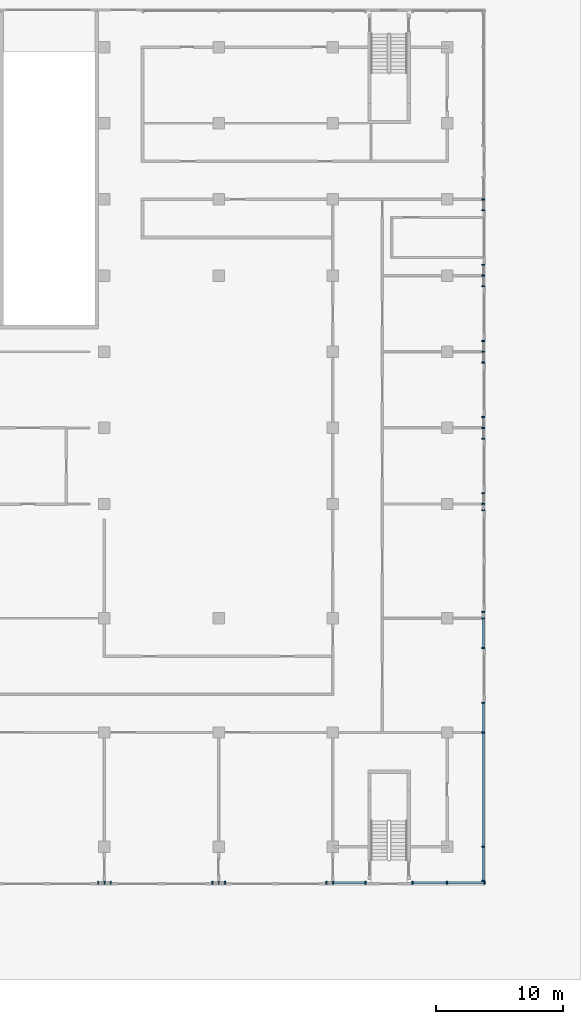
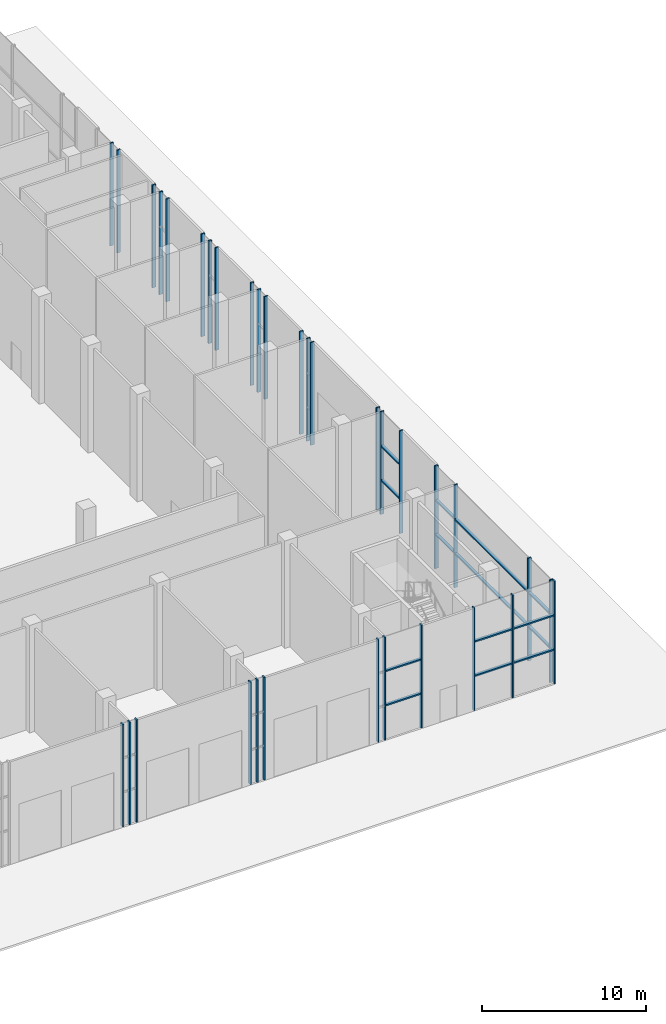
# One storey, part 5 of 29: 47 members, 11 elements without a shape of their own.
"""IFC4 building model written with IfcOpenShell, lengths in metres."""

from ifc_helpers import new_model, si_unit, direction, frame, origin, origin_2d, place, context, subcontext, project, spatial, rectangle, extrude, material, material_profile, profile_set, type_object, element, aggregate, save


model = new_model("IFC4")

# Units and contexts
model_context = context("Model", 3, precision=1e-05, world=origin(), true_north=direction((0.0, 1.0)))
body_context = subcontext(model_context, "Body", "Model", "MODEL_VIEW")
ifc_project = project(units=[si_unit("LENGTHUNIT", "METRE"), si_unit("AREAUNIT", "SQUARE_METRE"), si_unit("VOLUMEUNIT", "CUBIC_METRE"), si_unit("PLANEANGLEUNIT", "RADIAN"), si_unit("MASSUNIT", "GRAM", prefix="KILO")], contexts=[model_context])

# Site, building, storey
site_placement = place(None, origin())
site = spatial("IfcSite", under=ifc_project, at=site_placement, CompositionType="ELEMENT")
building_placement = place(site_placement, origin())
building = spatial("IfcBuilding", under=site, at=building_placement, Name="Finial Court Residences", CompositionType="ELEMENT")
storey_placement = place(building_placement, origin())
storey = spatial("IfcBuildingStorey", under=building, at=storey_placement, Name="L00", CompositionType="ELEMENT", Elevation=0.0)

# Curtain wall, members
ifc_material = material(Name="Bronze anodised aluminium", Category="aluminium")
curtain_wall_type = type_object("IfcCurtainWallType", Name="Podium shopfront", PredefinedType="NOTDEFINED", material=ifc_material)
curtain_wall_1_placement = place(storey_placement, origin())
curtain_wall_1 = element("IfcCurtainWall", 1, at=curtain_wall_1_placement, inside=storey, type_object=curtain_wall_type, Name="E-L00-CW-E9", PredefinedType="NOTDEFINED")
ifc_material_profile_1 = material_profile(ifc_material, rectangle(XDim=0.25, YDim=0.10009765625, at=origin_2d()), Name="CW4 mullion 100 x 250")
ifc_profile_set_1 = profile_set([ifc_material_profile_1], Name="Bronze anodised aluminium")
member_type_1 = type_object("IfcMemberType", Name="CW4 mullion 100 x 250", PredefinedType="MULLION", material=ifc_profile_set_1)
member_1_placement = place(storey_placement, frame((61.35009765625, -34.175048828125, 0.0), z_axis=(0.0, 0.0, 1.0), x_axis=(-1.0, 0.0, 0.0)))
member_1 = element("IfcMember", 2, at=member_1_placement, type_object=member_type_1, Name="CW4 mullion 1", PredefinedType="MULLION", context=body_context, shape_type="SweptSolid", body=[
    extrude(rectangle(XDim=0.25, YDim=0.10009765625, at=origin_2d()), origin(), (0.0, 0.0, 1.0), 7.64990234375),
])
member_2_placement = place(storey_placement, frame((61.35009765625, -31.5, 0.0), z_axis=(0.0, 0.0, 1.0), x_axis=(-1.0, 0.0, 0.0)))
member_2 = element("IfcMember", 3, at=member_2_placement, type_object=member_type_1, Name="CW4 mullion 2", PredefinedType="MULLION", context=body_context, shape_type="SweptSolid", body=[
    extrude(rectangle(XDim=0.25, YDim=0.10009765625, at=origin_2d()), origin(), (0.0, 0.0, 1.0), 7.64990234375),
])
member_3_placement = place(storey_placement, frame((61.35009765625, -22.5, 0.0), z_axis=(0.0, 0.0, 1.0), x_axis=(-1.0, 0.0, 0.0)))
member_3 = element("IfcMember", 4, at=member_3_placement, type_object=member_type_1, Name="CW4 mullion 3", PredefinedType="MULLION", context=body_context, shape_type="SweptSolid", body=[
    extrude(rectangle(XDim=0.25, YDim=0.10009765625, at=origin_2d()), origin(), (0.0, 0.0, 1.0), 7.64990234375),
])
member_4_placement = place(storey_placement, frame((61.35009765625, -20.14990234375, 0.0), z_axis=(0.0, 0.0, 1.0), x_axis=(-1.0, 0.0, 0.0)))
member_4 = element("IfcMember", 5, at=member_4_placement, type_object=member_type_1, Name="CW4 mullion 4", PredefinedType="MULLION", context=body_context, shape_type="SweptSolid", body=[
    extrude(rectangle(XDim=0.25, YDim=0.10009765625, at=origin_2d()), origin(), (0.0, 0.0, 1.0), 7.64990234375),
])

curtain_wall_2_placement = place(storey_placement, origin())
curtain_wall_2 = element("IfcCurtainWall", 6, at=curtain_wall_2_placement, inside=storey, type_object=curtain_wall_type, Name="E-L00-CW-E10", PredefinedType="NOTDEFINED")
member_5_placement = place(storey_placement, frame((61.35009765625, -15.85009765625, 0.0), z_axis=(0.0, 0.0, 1.0), x_axis=(-1.0, 0.0, 0.0)))
member_5 = element("IfcMember", 7, at=member_5_placement, type_object=member_type_1, Name="CW4 mullion 1", PredefinedType="MULLION", context=body_context, shape_type="SweptSolid", body=[
    extrude(rectangle(XDim=0.25, YDim=0.10009765625, at=origin_2d()), origin(), (0.0, 0.0, 1.0), 7.64990234375),
])
member_6_placement = place(storey_placement, frame((61.35009765625, -13.5, 0.0), z_axis=(0.0, 0.0, 1.0), x_axis=(-1.0, 0.0, 0.0)))
member_6 = element("IfcMember", 8, at=member_6_placement, type_object=member_type_1, Name="CW4 mullion 2", PredefinedType="MULLION", context=body_context, shape_type="SweptSolid", body=[
    extrude(rectangle(XDim=0.25, YDim=0.10009765625, at=origin_2d()), origin(), (0.0, 0.0, 1.0), 7.64990234375),
])
member_7_placement = place(storey_placement, frame((61.35009765625, -13.00830078125, 0.0), z_axis=(0.0, 0.0, 1.0), x_axis=(-1.0, 0.0, 0.0)))
member_7 = element("IfcMember", 9, at=member_7_placement, type_object=member_type_1, Name="CW4 mullion 3", PredefinedType="MULLION", context=body_context, shape_type="SweptSolid", body=[
    extrude(rectangle(XDim=0.25, YDim=0.10009765625, at=origin_2d()), origin(), (0.0, 0.0, 1.0), 7.64990234375),
])

curtain_wall_3_placement = place(storey_placement, origin())
curtain_wall_3 = element("IfcCurtainWall", 10, at=curtain_wall_3_placement, inside=storey, type_object=curtain_wall_type, Name="E-L00-CW-E11", PredefinedType="NOTDEFINED")
member_8_placement = place(storey_placement, frame((61.35009765625, -4.99169921875, 0.0), z_axis=(0.0, 0.0, 1.0), x_axis=(-1.0, 0.0, 0.0)))
member_8 = element("IfcMember", 11, at=member_8_placement, type_object=member_type_1, Name="CW4 mullion 1", PredefinedType="MULLION", context=body_context, shape_type="SweptSolid", body=[
    extrude(rectangle(XDim=0.25, YDim=0.10009765625, at=origin_2d()), origin(), (0.0, 0.0, 1.0), 7.64990234375),
])
member_9_placement = place(storey_placement, frame((61.35009765625, -4.5, 0.0), z_axis=(0.0, 0.0, 1.0), x_axis=(-1.0, 0.0, 0.0)))
member_9 = element("IfcMember", 12, at=member_9_placement, type_object=member_type_1, Name="CW4 mullion 2", PredefinedType="MULLION", context=body_context, shape_type="SweptSolid", body=[
    extrude(rectangle(XDim=0.25, YDim=0.10009765625, at=origin_2d()), origin(), (0.0, 0.0, 1.0), 7.64990234375),
])
member_10_placement = place(storey_placement, frame((61.35009765625, -3.64990234375, 0.0), z_axis=(0.0, 0.0, 1.0), x_axis=(-1.0, 0.0, 0.0)))
member_10 = element("IfcMember", 13, at=member_10_placement, type_object=member_type_1, Name="CW4 mullion 3", PredefinedType="MULLION", context=body_context, shape_type="SweptSolid", body=[
    extrude(rectangle(XDim=0.25, YDim=0.10009765625, at=origin_2d()), origin(), (0.0, 0.0, 1.0), 7.64990234375),
])
aggregate(curtain_wall_3, [member_8, member_9, member_10])

curtain_wall_4_placement = place(storey_placement, origin())
curtain_wall_4 = element("IfcCurtainWall", 14, at=curtain_wall_4_placement, inside=storey, type_object=curtain_wall_type, Name="E-L00-CW-E12", PredefinedType="NOTDEFINED")
member_11_placement = place(storey_placement, frame((61.35009765625, 0.64990234375, 0.0), z_axis=(0.0, 0.0, 1.0), x_axis=(-1.0, 0.0, 0.0)))
member_11 = element("IfcMember", 15, at=member_11_placement, type_object=member_type_1, Name="CW4 mullion 1", PredefinedType="MULLION", context=body_context, shape_type="SweptSolid", body=[
    extrude(rectangle(XDim=0.25, YDim=0.10009765625, at=origin_2d()), origin(), (0.0, 0.0, 1.0), 7.64990234375),
])
member_12_placement = place(storey_placement, frame((61.35009765625, 1.5, 0.0), z_axis=(0.0, 0.0, 1.0), x_axis=(-1.0, 0.0, 0.0)))
member_12 = element("IfcMember", 16, at=member_12_placement, type_object=member_type_1, Name="CW4 mullion 2", PredefinedType="MULLION", context=body_context, shape_type="SweptSolid", body=[
    extrude(rectangle(XDim=0.25, YDim=0.10009765625, at=origin_2d()), origin(), (0.0, 0.0, 1.0), 7.64990234375),
])
member_13_placement = place(storey_placement, frame((61.35009765625, 2.35009765625, 0.0), z_axis=(0.0, 0.0, 1.0), x_axis=(-1.0, 0.0, 0.0)))
member_13 = element("IfcMember", 17, at=member_13_placement, type_object=member_type_1, Name="CW4 mullion 3", PredefinedType="MULLION", context=body_context, shape_type="SweptSolid", body=[
    extrude(rectangle(XDim=0.25, YDim=0.10009765625, at=origin_2d()), origin(), (0.0, 0.0, 1.0), 7.64990234375),
])
aggregate(curtain_wall_4, [member_11, member_12, member_13])

curtain_wall_5_placement = place(storey_placement, origin())
curtain_wall_5 = element("IfcCurtainWall", 18, at=curtain_wall_5_placement, inside=storey, type_object=curtain_wall_type, Name="E-L00-CW-E13", PredefinedType="NOTDEFINED")
member_14_placement = place(storey_placement, frame((61.35009765625, 6.64990234375, 0.0), z_axis=(0.0, 0.0, 1.0), x_axis=(-1.0, 0.0, 0.0)))
member_14 = element("IfcMember", 19, at=member_14_placement, type_object=member_type_1, Name="CW4 mullion 1", PredefinedType="MULLION", context=body_context, shape_type="SweptSolid", body=[
    extrude(rectangle(XDim=0.25, YDim=0.10009765625, at=origin_2d()), origin(), (0.0, 0.0, 1.0), 7.64990234375),
])
member_15_placement = place(storey_placement, frame((61.35009765625, 7.5, 0.0), z_axis=(0.0, 0.0, 1.0), x_axis=(-1.0, 0.0, 0.0)))
member_15 = element("IfcMember", 20, at=member_15_placement, type_object=member_type_1, Name="CW4 mullion 2", PredefinedType="MULLION", context=body_context, shape_type="SweptSolid", body=[
    extrude(rectangle(XDim=0.25, YDim=0.10009765625, at=origin_2d()), origin(), (0.0, 0.0, 1.0), 7.64990234375),
])
member_16_placement = place(storey_placement, frame((61.35009765625, 8.35009765625, 0.0), z_axis=(0.0, 0.0, 1.0), x_axis=(-1.0, 0.0, 0.0)))
member_16 = element("IfcMember", 21, at=member_16_placement, type_object=member_type_1, Name="CW4 mullion 3", PredefinedType="MULLION", context=body_context, shape_type="SweptSolid", body=[
    extrude(rectangle(XDim=0.25, YDim=0.10009765625, at=origin_2d()), origin(), (0.0, 0.0, 1.0), 7.64990234375),
])
aggregate(curtain_wall_5, [member_14, member_15, member_16])

curtain_wall_6_placement = place(storey_placement, origin())
curtain_wall_6 = element("IfcCurtainWall", 22, at=curtain_wall_6_placement, inside=storey, type_object=curtain_wall_type, Name="E-L00-CW-E14", PredefinedType="NOTDEFINED")
member_17_placement = place(storey_placement, frame((61.35009765625, 12.64990234375, 0.0), z_axis=(0.0, 0.0, 1.0), x_axis=(-1.0, 0.0, 0.0)))
member_17 = element("IfcMember", 23, at=member_17_placement, type_object=member_type_1, Name="CW4 mullion 1", PredefinedType="MULLION", context=body_context, shape_type="SweptSolid", body=[
    extrude(rectangle(XDim=0.25, YDim=0.10009765625, at=origin_2d()), origin(), (0.0, 0.0, 1.0), 7.64990234375),
])
member_18_placement = place(storey_placement, frame((61.35009765625, 13.5, 0.0), z_axis=(0.0, 0.0, 1.0), x_axis=(-1.0, 0.0, 0.0)))
member_18 = element("IfcMember", 24, at=member_18_placement, type_object=member_type_1, Name="CW4 mullion 2", PredefinedType="MULLION", context=body_context, shape_type="SweptSolid", body=[
    extrude(rectangle(XDim=0.25, YDim=0.10009765625, at=origin_2d()), origin(), (0.0, 0.0, 1.0), 7.64990234375),
])
member_19_placement = place(storey_placement, frame((61.35009765625, 14.35009765625, 0.0), z_axis=(0.0, 0.0, 1.0), x_axis=(-1.0, 0.0, 0.0)))
member_19 = element("IfcMember", 25, at=member_19_placement, type_object=member_type_1, Name="CW4 mullion 3", PredefinedType="MULLION", context=body_context, shape_type="SweptSolid", body=[
    extrude(rectangle(XDim=0.25, YDim=0.10009765625, at=origin_2d()), origin(), (0.0, 0.0, 1.0), 7.64990234375),
])
aggregate(curtain_wall_6, [member_17, member_18, member_19])

curtain_wall_7_placement = place(storey_placement, origin())
curtain_wall_7 = element("IfcCurtainWall", 26, at=curtain_wall_7_placement, inside=storey, type_object=curtain_wall_type, Name="E-L00-CW-E15", PredefinedType="NOTDEFINED")
member_20_placement = place(storey_placement, frame((61.35009765625, 18.64990234375, 0.0), z_axis=(0.0, 0.0, 1.0), x_axis=(-1.0, 0.0, 0.0)))
member_20 = element("IfcMember", 27, at=member_20_placement, type_object=member_type_1, Name="CW4 mullion 1", PredefinedType="MULLION", context=body_context, shape_type="SweptSolid", body=[
    extrude(rectangle(XDim=0.25, YDim=0.10009765625, at=origin_2d()), origin(), (0.0, 0.0, 1.0), 7.64990234375),
])
member_21_placement = place(storey_placement, frame((61.35009765625, 19.5, 0.0), z_axis=(0.0, 0.0, 1.0), x_axis=(-1.0, 0.0, 0.0)))
member_21 = element("IfcMember", 28, at=member_21_placement, type_object=member_type_1, Name="CW4 mullion 2", PredefinedType="MULLION", context=body_context, shape_type="SweptSolid", body=[
    extrude(rectangle(XDim=0.25, YDim=0.10009765625, at=origin_2d()), origin(), (0.0, 0.0, 1.0), 7.64990234375),
])
aggregate(curtain_wall_7, [member_20, member_21])

curtain_wall_8_placement = place(storey_placement, origin())
curtain_wall_8 = element("IfcCurtainWall", 29, at=curtain_wall_8_placement, inside=storey, type_object=curtain_wall_type, Name="E-L00-CW-S23", PredefinedType="NOTDEFINED")
member_22_placement = place(storey_placement, frame((31.00830078125, -34.35009765625, 0.0), z_axis=(0.0, 0.0, 1.0), x_axis=(0.0, 1.0, 0.0)))
member_22 = element("IfcMember", 30, at=member_22_placement, type_object=member_type_1, Name="CW4 mullion 1", PredefinedType="MULLION", context=body_context, shape_type="SweptSolid", body=[
    extrude(rectangle(XDim=0.25, YDim=0.10009765625, at=origin_2d()), origin(), (0.0, 0.0, 1.0), 7.64990234375),
])
member_23_placement = place(storey_placement, frame((31.5, -34.35009765625, 0.0), z_axis=(0.0, 0.0, 1.0), x_axis=(0.0, 1.0, 0.0)))
member_23 = element("IfcMember", 31, at=member_23_placement, type_object=member_type_1, Name="CW4 mullion 2", PredefinedType="MULLION", context=body_context, shape_type="SweptSolid", body=[
    extrude(rectangle(XDim=0.25, YDim=0.10009765625, at=origin_2d()), origin(), (0.0, 0.0, 1.0), 7.64990234375),
])
member_24_placement = place(storey_placement, frame((31.99169921875, -34.35009765625, 0.0), z_axis=(0.0, 0.0, 1.0), x_axis=(0.0, 1.0, 0.0)))
member_24 = element("IfcMember", 32, at=member_24_placement, type_object=member_type_1, Name="CW4 mullion 3", PredefinedType="MULLION", context=body_context, shape_type="SweptSolid", body=[
    extrude(rectangle(XDim=0.25, YDim=0.10009765625, at=origin_2d()), origin(), (0.0, 0.0, 1.0), 7.64990234375),
])
aggregate(curtain_wall_8, [member_22, member_23, member_24])

curtain_wall_9_placement = place(storey_placement, origin())
curtain_wall_9 = element("IfcCurtainWall", 33, at=curtain_wall_9_placement, inside=storey, type_object=curtain_wall_type, Name="E-L00-CW-S24", PredefinedType="NOTDEFINED")
member_25_placement = place(storey_placement, frame((40.00830078125, -34.35009765625, 0.0), z_axis=(0.0, 0.0, 1.0), x_axis=(0.0, 1.0, 0.0)))
member_25 = element("IfcMember", 34, at=member_25_placement, type_object=member_type_1, Name="CW4 mullion 1", PredefinedType="MULLION", context=body_context, shape_type="SweptSolid", body=[
    extrude(rectangle(XDim=0.25, YDim=0.10009765625, at=origin_2d()), origin(), (0.0, 0.0, 1.0), 7.64990234375),
])
member_26_placement = place(storey_placement, frame((40.5, -34.35009765625, 0.0), z_axis=(0.0, 0.0, 1.0), x_axis=(0.0, 1.0, 0.0)))
member_26 = element("IfcMember", 35, at=member_26_placement, type_object=member_type_1, Name="CW4 mullion 2", PredefinedType="MULLION", context=body_context, shape_type="SweptSolid", body=[
    extrude(rectangle(XDim=0.25, YDim=0.10009765625, at=origin_2d()), origin(), (0.0, 0.0, 1.0), 7.64990234375),
])
member_27_placement = place(storey_placement, frame((40.99169921875, -34.35009765625, 0.0), z_axis=(0.0, 0.0, 1.0), x_axis=(0.0, 1.0, 0.0)))
member_27 = element("IfcMember", 36, at=member_27_placement, type_object=member_type_1, Name="CW4 mullion 3", PredefinedType="MULLION", context=body_context, shape_type="SweptSolid", body=[
    extrude(rectangle(XDim=0.25, YDim=0.10009765625, at=origin_2d()), origin(), (0.0, 0.0, 1.0), 7.64990234375),
])
aggregate(curtain_wall_9, [member_25, member_26, member_27])

curtain_wall_10_placement = place(storey_placement, origin())
curtain_wall_10 = element("IfcCurtainWall", 37, at=curtain_wall_10_placement, inside=storey, type_object=curtain_wall_type, Name="E-L00-CW-S25", PredefinedType="NOTDEFINED")
member_28_placement = place(storey_placement, frame((49.00830078125, -34.35009765625, 0.0), z_axis=(0.0, 0.0, 1.0), x_axis=(0.0, 1.0, 0.0)))
member_28 = element("IfcMember", 38, at=member_28_placement, type_object=member_type_1, Name="CW4 mullion 1", PredefinedType="MULLION", context=body_context, shape_type="SweptSolid", body=[
    extrude(rectangle(XDim=0.25, YDim=0.10009765625, at=origin_2d()), origin(), (0.0, 0.0, 1.0), 7.64990234375),
])
member_29_placement = place(storey_placement, frame((49.5, -34.35009765625, 0.0), z_axis=(0.0, 0.0, 1.0), x_axis=(0.0, 1.0, 0.0)))
member_29 = element("IfcMember", 39, at=member_29_placement, type_object=member_type_1, Name="CW4 mullion 2", PredefinedType="MULLION", context=body_context, shape_type="SweptSolid", body=[
    extrude(rectangle(XDim=0.25, YDim=0.10009765625, at=origin_2d()), origin(), (0.0, 0.0, 1.0), 7.64990234375),
])
member_30_placement = place(storey_placement, frame((52.074951171875, -34.35009765625, 0.0), z_axis=(0.0, 0.0, 1.0), x_axis=(0.0, 1.0, 0.0)))
member_30 = element("IfcMember", 40, at=member_30_placement, type_object=member_type_1, Name="CW4 mullion 3", PredefinedType="MULLION", context=body_context, shape_type="SweptSolid", body=[
    extrude(rectangle(XDim=0.25, YDim=0.10009765625, at=origin_2d()), origin(), (0.0, 0.0, 1.0), 7.64990234375),
])

curtain_wall_11_placement = place(storey_placement, origin())
curtain_wall_11 = element("IfcCurtainWall", 41, at=curtain_wall_11_placement, inside=storey, type_object=curtain_wall_type, Name="E-L00-CW-S26", PredefinedType="NOTDEFINED")
member_31_placement = place(storey_placement, frame((55.77490234375, -34.35009765625, 0.0), z_axis=(0.0, 0.0, 1.0), x_axis=(0.0, 1.0, 0.0)))
member_31 = element("IfcMember", 42, at=member_31_placement, type_object=member_type_1, Name="CW4 mullion 1", PredefinedType="MULLION", context=body_context, shape_type="SweptSolid", body=[
    extrude(rectangle(XDim=0.25, YDim=0.10009765625, at=origin_2d()), origin(), (0.0, 0.0, 1.0), 7.64990234375),
])
member_32_placement = place(storey_placement, frame((58.5, -34.35009765625, 0.0), z_axis=(0.0, 0.0, 1.0), x_axis=(0.0, 1.0, 0.0)))
member_32 = element("IfcMember", 43, at=member_32_placement, type_object=member_type_1, Name="CW4 mullion 2", PredefinedType="MULLION", context=body_context, shape_type="SweptSolid", body=[
    extrude(rectangle(XDim=0.25, YDim=0.10009765625, at=origin_2d()), origin(), (0.0, 0.0, 1.0), 7.64990234375),
])
member_33_placement = place(storey_placement, frame((61.449951171875, -34.35009765625, 0.0), z_axis=(0.0, 0.0, 1.0), x_axis=(0.0, 1.0, 0.0)))
member_33 = element("IfcMember", 44, at=member_33_placement, type_object=member_type_1, Name="CW4 mullion 3", PredefinedType="MULLION", context=body_context, shape_type="SweptSolid", body=[
    extrude(rectangle(XDim=0.25, YDim=0.10009765625, at=origin_2d()), origin(), (0.0, 0.0, 1.0), 7.64990234375),
])

# Member
ifc_material_profile_2 = material_profile(ifc_material, rectangle(XDim=0.199951171875, YDim=0.10009765625, at=origin_2d()), Name="CW4 transom 100 x 200")
ifc_profile_set_2 = profile_set([ifc_material_profile_2], Name="Bronze anodised aluminium")
member_type_2 = type_object("IfcMemberType", Name="CW4 transom 100 x 200", PredefinedType="USERDEFINED", material=ifc_profile_set_2)
member_34_placement = place(storey_placement, frame((61.35009765625, -34.125, 2.550048828125), z_axis=(0.0, 1.0, 0.0), x_axis=(-1.0, 0.0, 0.0)))
member_34 = element("IfcMember", 45, at=member_34_placement, type_object=member_type_2, Name="CW4 transom 1.1", ObjectType="TRANSOM", PredefinedType="USERDEFINED", context=body_context, shape_type="SweptSolid", body=[
    extrude(rectangle(XDim=0.199951171875, YDim=0.10009765625, at=origin_2d()), origin(), (0.0, 0.0, 1.0), 2.574951171875),
])

member_35_placement = place(storey_placement, frame((61.35009765625, -34.125, 5.10009765625), z_axis=(0.0, 1.0, 0.0), x_axis=(-1.0, 0.0, 0.0)))
member_35 = element("IfcMember", 46, at=member_35_placement, type_object=member_type_2, Name="CW4 transom 1.2", ObjectType="TRANSOM", PredefinedType="USERDEFINED", context=body_context, shape_type="SweptSolid", body=[
    extrude(rectangle(XDim=0.199951171875, YDim=0.10009765625, at=origin_2d()), origin(), (0.0, 0.0, 1.0), 2.574951171875),
])

member_36_placement = place(storey_placement, frame((61.35009765625, -31.449951171875, 2.550048828125), z_axis=(0.0, 1.0, 0.0), x_axis=(-1.0, 0.0, 0.0)))
member_36 = element("IfcMember", 47, at=member_36_placement, type_object=member_type_2, Name="CW4 transom 2.1", ObjectType="TRANSOM", PredefinedType="USERDEFINED", context=body_context, shape_type="SweptSolid", body=[
    extrude(rectangle(XDim=0.199951171875, YDim=0.10009765625, at=origin_2d()), origin(), (0.0, 0.0, 1.0), 8.89990234375),
])

member_37_placement = place(storey_placement, frame((61.35009765625, -31.449951171875, 5.10009765625), z_axis=(0.0, 1.0, 0.0), x_axis=(-1.0, 0.0, 0.0)))
member_37 = element("IfcMember", 48, at=member_37_placement, type_object=member_type_2, Name="CW4 transom 2.2", ObjectType="TRANSOM", PredefinedType="USERDEFINED", context=body_context, shape_type="SweptSolid", body=[
    extrude(rectangle(XDim=0.199951171875, YDim=0.10009765625, at=origin_2d()), origin(), (0.0, 0.0, 1.0), 8.89990234375),
])

member_38_placement = place(storey_placement, frame((61.35009765625, -22.449951171875, 2.550048828125), z_axis=(0.0, 1.0, 0.0), x_axis=(-1.0, 0.0, 0.0)))
member_38 = element("IfcMember", 49, at=member_38_placement, type_object=member_type_2, Name="CW4 transom 3.1", ObjectType="TRANSOM", PredefinedType="USERDEFINED", context=body_context, shape_type="SweptSolid", body=[
    extrude(rectangle(XDim=0.199951171875, YDim=0.10009765625, at=origin_2d()), origin(), (0.0, 0.0, 1.0), 2.25),
])

member_39_placement = place(storey_placement, frame((61.35009765625, -22.449951171875, 5.10009765625), z_axis=(0.0, 1.0, 0.0), x_axis=(-1.0, 0.0, 0.0)))
member_39 = element("IfcMember", 50, at=member_39_placement, type_object=member_type_2, Name="CW4 transom 3.2", ObjectType="TRANSOM", PredefinedType="USERDEFINED", context=body_context, shape_type="SweptSolid", body=[
    extrude(rectangle(XDim=0.199951171875, YDim=0.10009765625, at=origin_2d()), origin(), (0.0, 0.0, 1.0), 2.25),
])

aggregate(curtain_wall_1, [member_1, member_2, member_3, member_4, member_34, member_35, member_36, member_37, member_38, member_39])

member_40_placement = place(storey_placement, frame((61.35009765625, -15.800048828125, 2.550048828125), z_axis=(0.0, 1.0, 0.0), x_axis=(-1.0, 0.0, 0.0)))
member_40 = element("IfcMember", 51, at=member_40_placement, type_object=member_type_2, Name="CW4 transom 1.1", ObjectType="TRANSOM", PredefinedType="USERDEFINED", context=body_context, shape_type="SweptSolid", body=[
    extrude(rectangle(XDim=0.199951171875, YDim=0.10009765625, at=origin_2d()), origin(), (0.0, 0.0, 1.0), 2.25),
])

member_41_placement = place(storey_placement, frame((61.35009765625, -15.800048828125, 5.10009765625), z_axis=(0.0, 1.0, 0.0), x_axis=(-1.0, 0.0, 0.0)))
member_41 = element("IfcMember", 52, at=member_41_placement, type_object=member_type_2, Name="CW4 transom 1.2", ObjectType="TRANSOM", PredefinedType="USERDEFINED", context=body_context, shape_type="SweptSolid", body=[
    extrude(rectangle(XDim=0.199951171875, YDim=0.10009765625, at=origin_2d()), origin(), (0.0, 0.0, 1.0), 2.25),
])

aggregate(curtain_wall_2, [member_5, member_6, member_7, member_40, member_41])

member_42_placement = place(storey_placement, frame((49.550048828125, -34.35009765625, 2.550048828125), z_axis=(1.0, 0.0, 0.0), x_axis=(0.0, 1.0, 0.0)))
member_42 = element("IfcMember", 53, at=member_42_placement, type_object=member_type_2, Name="CW4 transom 2.1", ObjectType="TRANSOM", PredefinedType="USERDEFINED", context=body_context, shape_type="SweptSolid", body=[
    extrude(rectangle(XDim=0.199951171875, YDim=0.10009765625, at=origin_2d()), origin(), (0.0, 0.0, 1.0), 2.474853515625),
])

member_43_placement = place(storey_placement, frame((49.550048828125, -34.35009765625, 5.10009765625), z_axis=(1.0, 0.0, 0.0), x_axis=(0.0, 1.0, 0.0)))
member_43 = element("IfcMember", 54, at=member_43_placement, type_object=member_type_2, Name="CW4 transom 2.2", ObjectType="TRANSOM", PredefinedType="USERDEFINED", context=body_context, shape_type="SweptSolid", body=[
    extrude(rectangle(XDim=0.199951171875, YDim=0.10009765625, at=origin_2d()), origin(), (0.0, 0.0, 1.0), 2.474853515625),
])

aggregate(curtain_wall_10, [member_28, member_29, member_30, member_42, member_43])

member_44_placement = place(storey_placement, frame((55.824951171875, -34.35009765625, 2.550048828125), z_axis=(1.0, 0.0, 0.0), x_axis=(0.0, 1.0, 0.0)))
member_44 = element("IfcMember", 55, at=member_44_placement, type_object=member_type_2, Name="CW4 transom 1.1", ObjectType="TRANSOM", PredefinedType="USERDEFINED", context=body_context, shape_type="SweptSolid", body=[
    extrude(rectangle(XDim=0.199951171875, YDim=0.10009765625, at=origin_2d()), origin(), (0.0, 0.0, 1.0), 2.625),
])

member_45_placement = place(storey_placement, frame((55.824951171875, -34.35009765625, 5.10009765625), z_axis=(1.0, 0.0, 0.0), x_axis=(0.0, 1.0, 0.0)))
member_45 = element("IfcMember", 56, at=member_45_placement, type_object=member_type_2, Name="CW4 transom 1.2", ObjectType="TRANSOM", PredefinedType="USERDEFINED", context=body_context, shape_type="SweptSolid", body=[
    extrude(rectangle(XDim=0.199951171875, YDim=0.10009765625, at=origin_2d()), origin(), (0.0, 0.0, 1.0), 2.625),
])

member_46_placement = place(storey_placement, frame((58.550048828125, -34.35009765625, 2.550048828125), z_axis=(1.0, 0.0, 0.0), x_axis=(0.0, 1.0, 0.0)))
member_46 = element("IfcMember", 57, at=member_46_placement, type_object=member_type_2, Name="CW4 transom 2.1", ObjectType="TRANSOM", PredefinedType="USERDEFINED", context=body_context, shape_type="SweptSolid", body=[
    extrude(rectangle(XDim=0.199951171875, YDim=0.10009765625, at=origin_2d()), origin(), (0.0, 0.0, 1.0), 2.849853515625),
])

member_47_placement = place(storey_placement, frame((58.550048828125, -34.35009765625, 5.10009765625), z_axis=(1.0, 0.0, 0.0), x_axis=(0.0, 1.0, 0.0)))
member_47 = element("IfcMember", 58, at=member_47_placement, type_object=member_type_2, Name="CW4 transom 2.2", ObjectType="TRANSOM", PredefinedType="USERDEFINED", context=body_context, shape_type="SweptSolid", body=[
    extrude(rectangle(XDim=0.199951171875, YDim=0.10009765625, at=origin_2d()), origin(), (0.0, 0.0, 1.0), 2.849853515625),
])

aggregate(curtain_wall_11, [member_31, member_32, member_33, member_44, member_45, member_46, member_47])

save(model, "model.ifc")
